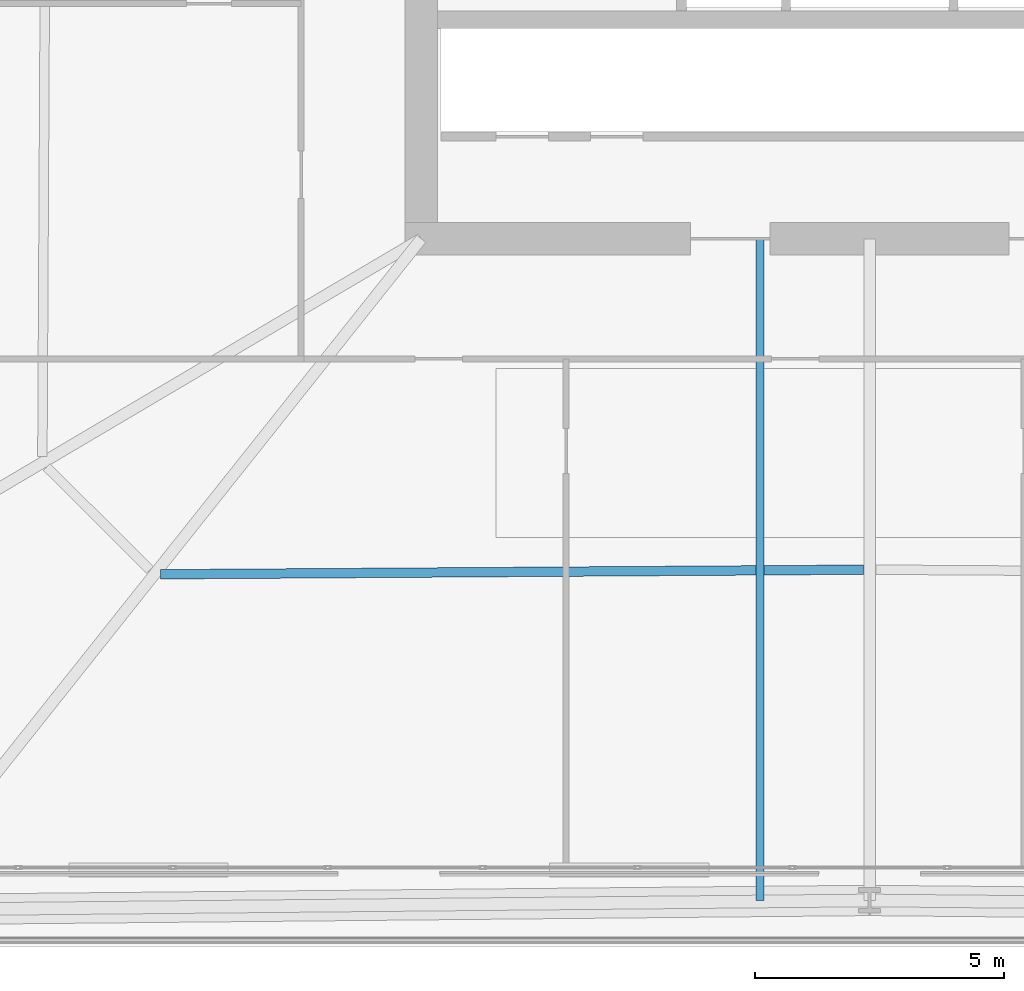
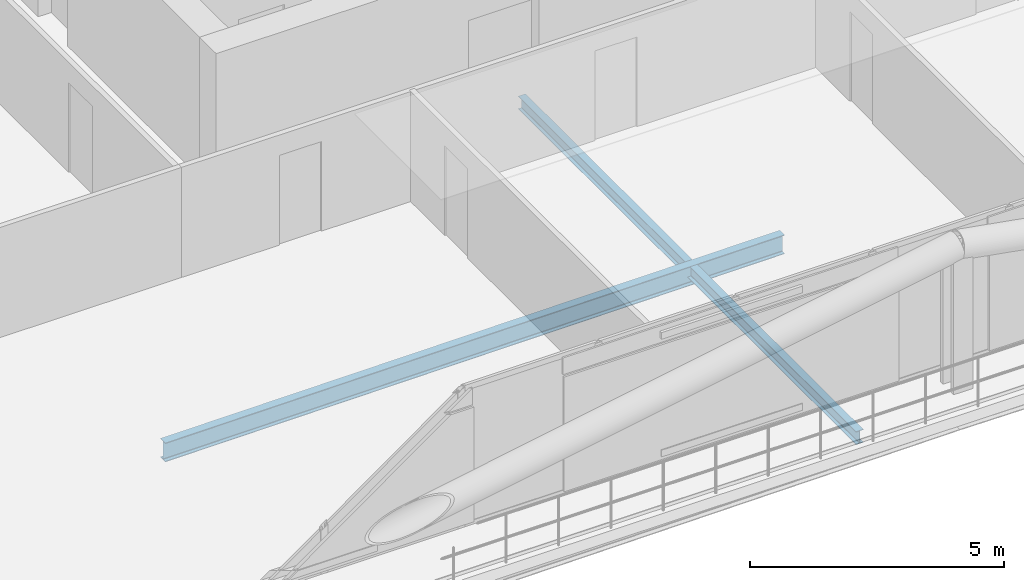
# One storey, part 6 of 34: 2 beams.
"""IFC4 building model written with IfcOpenShell, lengths in metres."""

from ifc_helpers import new_model, si_unit, direction, frame, origin, origin_2d, place, context, subcontext, project, spatial, i_section, extrude, material, material_profile, profile_set, type_object, element, save


model = new_model("IFC4")

# Units and contexts
model_context = context("Model", 3, precision=1e-05, world=origin(), true_north=direction((0.0, 1.0)))
body_context = subcontext(model_context, "Body", "Model", "MODEL_VIEW")
ifc_project = project(units=[si_unit("LENGTHUNIT", "METRE"), si_unit("AREAUNIT", "SQUARE_METRE"), si_unit("VOLUMEUNIT", "CUBIC_METRE"), si_unit("PLANEANGLEUNIT", "RADIAN"), si_unit("MASSUNIT", "GRAM", prefix="KILO")], contexts=[model_context])

# Site, building, storey
site_placement = place(None, origin())
site = spatial("IfcSite", under=ifc_project, at=site_placement, CompositionType="ELEMENT")
building_placement = place(site_placement, origin())
building = spatial("IfcBuilding", under=site, at=building_placement, Name="Caelvoria Tower", CompositionType="ELEMENT")
storey_placement = place(building_placement, frame((0.0, 0.0, 28.0)))
storey = spatial("IfcBuildingStorey", under=building, at=storey_placement, Name="L06", CompositionType="ELEMENT", Elevation=28.0)

# Beams
ifc_material = material(Name="Structural Steel ASTM A992 Gr.50", Category="steel")
ifc_material_profile_1 = material_profile(ifc_material, i_section(OverallWidth=0.166015625, OverallDepth=0.31298828125, WebThickness=0.006591796875, FlangeThickness=0.01123046875, FilletRadius=0.011962890625, at=origin_2d()), Name="Structural Steel ASTM A992 Gr.50")
ifc_profile_set_1 = profile_set([ifc_material_profile_1], Name="W310X44.5 - Structural Steel ASTM A992 Gr.50")
beam_type_1 = type_object("IfcBeamType", Name="Composite Floor Intermediate Joist W310X44.5", PredefinedType="JOIST", material=ifc_profile_set_1)
beam_1_placement = place(storey_placement, frame((43.800048828125, 24.0, -0.47705078125), z_axis=(0.0, -1.0, 0.0), x_axis=(1.0, 0.0, 0.0)))
element("IfcBeam", 1, at=beam_1_placement, inside=storey, type_object=beam_type_1, Name="Intermediate Floor Joist L06 South", PredefinedType="JOIST", context=body_context, shape_type="SweptSolid", body=[
    extrude(i_section(OverallWidth=0.166015625, OverallDepth=0.31298828125, WebThickness=0.006591796875, FlangeThickness=0.01123046875, FilletRadius=0.011962890625, at=origin_2d()), origin(), (0.0, 0.0, 1.0), 13.280029296875),
])
ifc_material_profile_2 = material_profile(ifc_material, i_section(OverallWidth=0.18994140625, OverallDepth=0.45703125, WebThickness=0.009033203125, FlangeThickness=0.014404296875, FilletRadius=0.014892578125, at=origin_2d()), Name="Structural Steel ASTM A992 Gr.50")
ifc_profile_set_2 = profile_set([ifc_material_profile_2], Name="W460X74 - Structural Steel ASTM A992 Gr.50")
beam_type_2 = type_object("IfcBeamType", Name="Secondary Floor Beam W460X74", PredefinedType="BEAM", material=ifc_profile_set_2)
beam_2_placement = place(storey_placement, frame((31.7685546875, 17.26611328125, -0.548583984375), z_axis=(0.999978260442, 0.006593833805, 0.0), x_axis=(-0.006593833805, 0.999978260442, 0.0)))
element("IfcBeam", 2, at=beam_2_placement, inside=storey, type_object=beam_type_2, Name="Secondary Floor Beam L06-00", PredefinedType="BEAM", context=body_context, shape_type="SweptSolid", body=[
    extrude(i_section(OverallWidth=0.18994140625, OverallDepth=0.45703125, WebThickness=0.009033203125, FlangeThickness=0.014404296875, FilletRadius=0.014892578125, at=origin_2d()), origin(), (0.0, 0.0, 1.0), 14.106689453125),
])

save(model, "model.ifc")
